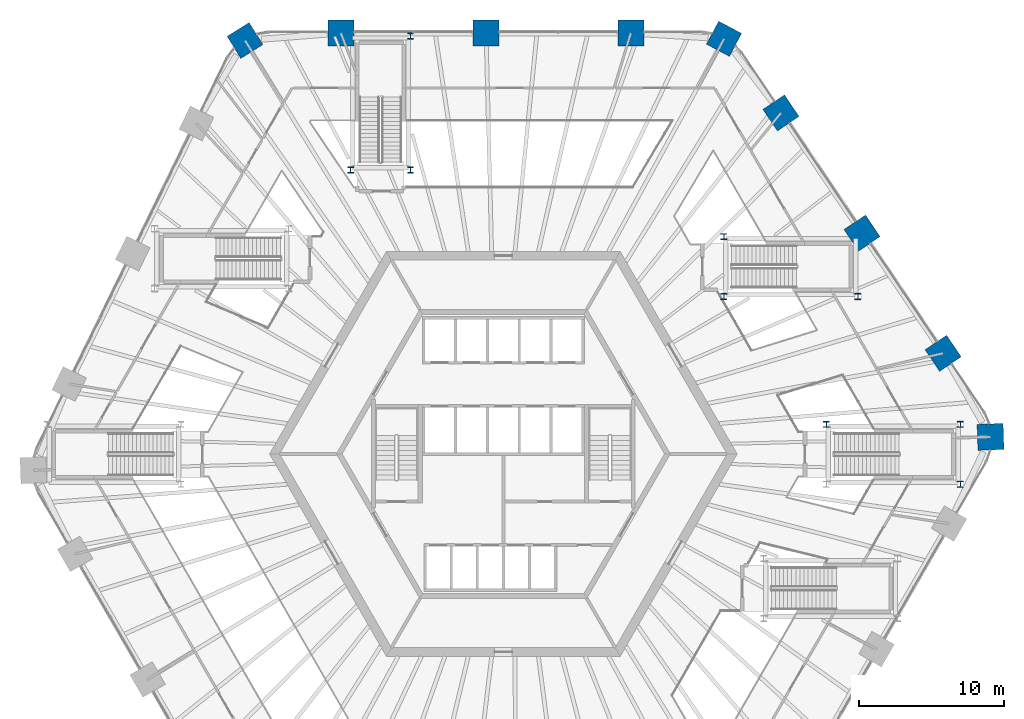
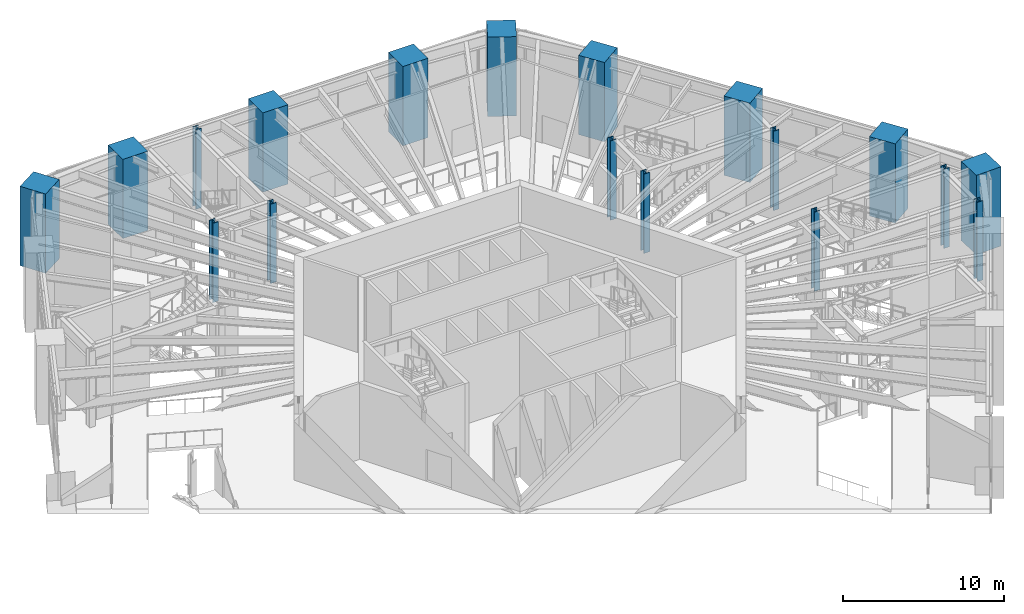
# One storey, part 2 of 32: 18 columns.
"""IFC4 building model written with IfcOpenShell, lengths in metres."""

from ifc_helpers import new_model, si_unit, direction, frame, origin, origin_2d, place, context, subcontext, project, spatial, rectangle, i_section, extrude, material, material_profile, profile_set, type_object, element, save


model = new_model("IFC4")

# Units and contexts
model_context = context("Model", 3, precision=1e-05, world=origin(), true_north=direction((0.0, 1.0)))
body_context = subcontext(model_context, "Body", "Model", "MODEL_VIEW")
ifc_project = project(units=[si_unit("LENGTHUNIT", "METRE"), si_unit("AREAUNIT", "SQUARE_METRE"), si_unit("VOLUMEUNIT", "CUBIC_METRE"), si_unit("PLANEANGLEUNIT", "RADIAN"), si_unit("MASSUNIT", "GRAM", prefix="KILO")], contexts=[model_context])

# Site, building, storey
site_placement = place(None, origin())
site = spatial("IfcSite", under=ifc_project, at=site_placement, CompositionType="ELEMENT")
building_placement = place(site_placement, origin())
building = spatial("IfcBuilding", under=site, at=building_placement, Name="Tarnside Tower", CompositionType="ELEMENT")
storey_placement = place(building_placement, frame((0.0, 0.0, 9.0)))
storey = spatial("IfcBuildingStorey", under=building, at=storey_placement, Name="L01", CompositionType="ELEMENT", Elevation=9.0)

# Columns
ifc_material_1 = material(Name="Concrete C80/95", Category="concrete")
ifc_material_profile_1 = material_profile(ifc_material_1, rectangle(XDim=1.800048828125, YDim=1.800048828125, at=origin_2d()), Name="Mega column 1800x1800")
ifc_profile_set_1 = profile_set([ifc_material_profile_1], Name="Concrete C80/95")
column_type_1 = type_object("IfcColumnType", Name="Mega column 1800 C80/95", PredefinedType="COLUMN", material=ifc_profile_set_1)
for number, where, z_axis, x_axis, name in (
    (1, (8.8125, 29.10009765625, -0.25), (0.0, 0.0, 1.0), (1.0, 0.0, 0.0), "Mega column M01"),
    (2, (-1.211181640625, 29.10009765625, -0.25), (0.0, 0.0, 1.0), (1.0, 0.0, 0.0), "Mega column M02"),
    (3, (-11.23486328125, 29.10009765625, -0.25), (0.0, 0.0, 1.0), (1.0, 0.0, 0.0), "Mega column M03"),
    (4, (-17.861083984375, 28.58349609375, -0.25), (0.0, 0.0, 1.0), (0.848048096156, 0.529919264233, 0.0), "Mega column M04"),
    (5, (33.6845703125, 1.17626953125, -0.25), (0.0, 0.0, 1.0), (0.034899496703, -0.999390827019, 0.0), "Mega column M20"),
    (6, (30.407470703125, 6.95849609375, -0.25), (0.0, 0.0, 1.0), (0.559192903471, -0.829037572555, 0.0), "Mega column M21"),
    (7, (24.80224609375, 15.2685546875, -0.25), (0.0, 0.0, 1.0), (0.559192903471, -0.829037572555, 0.0), "Mega column M22"),
    (8, (19.197021484375, 23.57861328125, -0.25), (0.0, 0.0, 1.0), (0.559192903471, -0.829037572555, 0.0), "Mega column M23"),
    (9, (15.260498046875, 28.700927734375, -0.25), (0.0, 0.0, 1.0), (0.882947592859, -0.469471562786, 0.0), "Mega column M24"),
):
    element("IfcColumn", number, at=place(storey_placement, frame(where, z_axis=z_axis, x_axis=x_axis)), inside=storey, type_object=column_type_1, Name=name, PredefinedType="COLUMN", context=body_context, shape_type="SweptSolid", body=[
        extrude(rectangle(XDim=1.800048828125, YDim=1.800048828125, at=origin_2d()), origin(), (0.0, 0.0, 1.0), 6.0),
    ])
ifc_material_2 = material(Name="Steel S460", Category="steel")
ifc_material_profile_2 = material_profile(ifc_material_2, i_section(OverallWidth=0.412109375, OverallDepth=0.4365234375, WebThickness=0.035888671875, FlangeThickness=0.05810546875, FilletRadius=0.01513671875, at=origin_2d()), Name="UC 356x406x467")
ifc_profile_set_2 = profile_set([ifc_material_profile_2], Name="Steel S460")
column_type_2 = type_object("IfcColumnType", Name="Steel column UC 356x406x467", PredefinedType="COLUMN", material=ifc_profile_set_2)
for number, where, z_axis, x_axis, name in (
    (10, (-6.41943359375, 28.895263671875, -0.25), (0.0, 0.0, 1.0), (1.0, 0.0, 0.0), "Trimmer column V01.02"),
    (11, (-6.41943359375, 19.634765625, -0.25), (0.0, 0.0, 1.0), (1.0, 0.0, 0.0), "Trimmer column V01.03"),
    (12, (-10.56005859375, 19.634765625, -0.25), (0.0, 0.0, 1.0), (1.0, 0.0, 0.0), "Trimmer column V01.04"),
    (13, (31.59521484375, 2.04541015625, -0.25), (0.0, 0.0, 1.0), (1.0, 0.0, 0.0), "Trimmer column V03.01"),
    (14, (31.59521484375, -2.09521484375, -0.25), (0.0, 0.0, 1.0), (1.0, 0.0, 0.0), "Trimmer column V03.02"),
    (15, (22.334716796875, 2.04541015625, -0.25), (0.0, 0.0, 1.0), (1.0, 0.0, 0.0), "Trimmer column V03.04"),
    (16, (24.50537109375, 10.879638671875, -0.25), (0.0, 0.0, 1.0), (1.0, 0.0, 0.0), "Trimmer column V04.02"),
    (17, (15.24462890625, 10.879638671875, -0.25), (0.0, 0.0, 1.0), (1.0, 0.0, 0.0), "Trimmer column V04.03"),
    (18, (15.24462890625, 15.020263671875, -0.25), (0.0, 0.0, 1.0), (1.0, 0.0, 0.0), "Trimmer column V04.04"),
):
    element("IfcColumn", number, at=place(storey_placement, frame(where, z_axis=z_axis, x_axis=x_axis)), inside=storey, type_object=column_type_2, Name=name, PredefinedType="COLUMN", context=body_context, shape_type="SweptSolid", body=[
        extrude(i_section(OverallWidth=0.412109375, OverallDepth=0.4365234375, WebThickness=0.035888671875, FlangeThickness=0.05810546875, FilletRadius=0.01513671875, at=origin_2d()), origin(), (0.0, 0.0, 1.0), 6.0),
    ])

save(model, "model.ifc")
